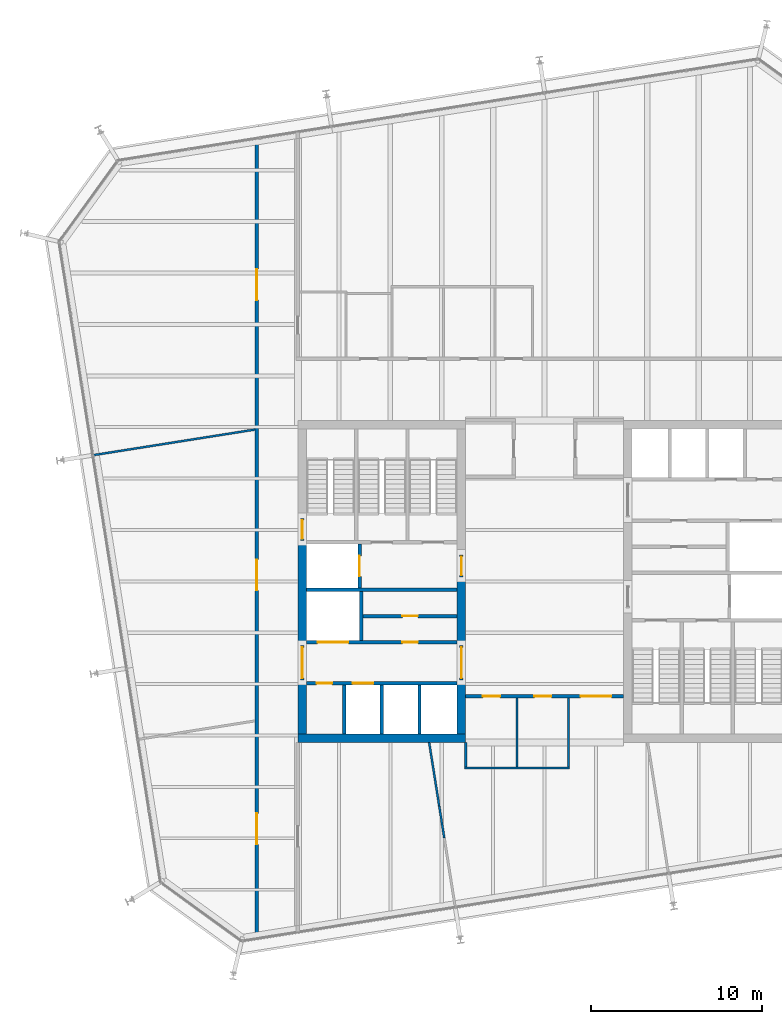
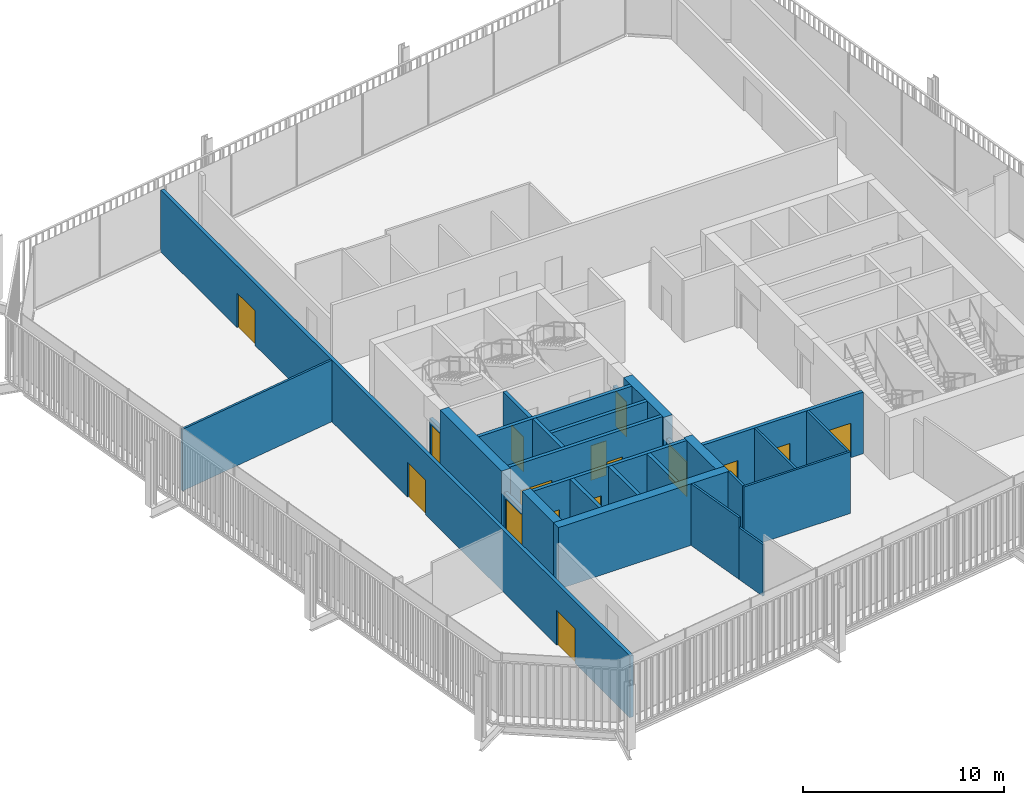
# One storey, part 16 of 20: 27 walls, 16 doors, 16 openings.
"""IFC4 building model written with IfcOpenShell, lengths in metres."""

from ifc_helpers import new_model, si_unit, direction, frame, frame_2d, origin, place, context, subcontext, project, spatial, rectangle, extrude, material, layer, layer_set, type_object, element, fill, save


model = new_model("IFC4")

# Units and contexts
model_context = context("Model", 3, precision=1e-05, world=origin(), true_north=direction((0.0, 1.0)))
body_context = subcontext(model_context, "Body", "Model", "MODEL_VIEW")
ifc_project = project(units=[si_unit("LENGTHUNIT", "METRE"), si_unit("AREAUNIT", "SQUARE_METRE"), si_unit("VOLUMEUNIT", "CUBIC_METRE"), si_unit("PLANEANGLEUNIT", "RADIAN"), si_unit("MASSUNIT", "GRAM", prefix="KILO")], contexts=[model_context])

# Site, building, storey
site_placement = place(None, origin())
site = spatial("IfcSite", under=ifc_project, at=site_placement, CompositionType="ELEMENT")
building_placement = place(site_placement, origin())
building = spatial("IfcBuilding", under=site, at=building_placement, Name="Millrace Tower", CompositionType="ELEMENT")
storey_placement = place(building_placement, frame((0.0, 0.0, 259.10009765625)))
storey = spatial("IfcBuildingStorey", under=building, at=storey_placement, Name="L59", CompositionType="ELEMENT", Elevation=259.10009765625)

# Walls
ifc_material_1 = material(Name="Concrete C60", Category="concrete")
ifc_layer_1 = layer(ifc_material_1, 0.5)
ifc_layer_set_1 = layer_set([ifc_layer_1], Name="Concrete C60")
wall_type_1 = type_object("IfcWallType", Name="Core wall 500 Concrete C60", PredefinedType="SHEAR", material=ifc_layer_set_1)
wall_1_placement = place(storey_placement, frame((-14.39990234375, -9.14990234375, 0.0), z_axis=(0.0, 0.0, 1.0), x_axis=(1.0, 0.0, 0.0)))
element("IfcWall", 1, at=wall_1_placement, inside=storey, type_object=wall_type_1, Name="Core wall W L59", PredefinedType="SHEAR", context=body_context, shape_type="SweptSolid", body=[
    extrude(rectangle(XDim=9.7998046875, YDim=0.5, at=frame_2d((4.89990234375, 0.0))), origin(), (0.0, 0.0, 1.0), 3.739990234375),
])
wall_2_placement = place(storey_placement, frame((-14.14990234375, -8.89990234375, 0.0), z_axis=(0.0, 0.0, 1.0), x_axis=(0.0, 1.0, 0.0)))
element("IfcWall", 2, at=wall_2_placement, inside=storey, type_object=wall_type_1, Name="Core wall W L59", PredefinedType="SHEAR", context=body_context, shape_type="SweptSolid", body=[
    extrude(rectangle(XDim=3.14990234375, YDim=0.5, at=frame_2d((1.574951171875, 0.0))), origin(), (0.0, 0.0, 1.0), 3.739990234375),
])
wall_3_placement = place(storey_placement, frame((-14.14990234375, -3.75, 0.0), z_axis=(0.0, 0.0, 1.0), x_axis=(0.0, 1.0, 0.0)))
element("IfcWall", 3, at=wall_3_placement, inside=storey, type_object=wall_type_1, Name="Core wall W L59", PredefinedType="SHEAR", context=body_context, shape_type="SweptSolid", body=[
    extrude(rectangle(XDim=6.1298828125, YDim=0.5, at=frame_2d((3.06494140625, 0.0))), origin(), (0.0, 0.0, 1.0), 3.739990234375),
])
wall_4_placement = place(storey_placement, frame((-4.85009765625, -8.89990234375, 0.0), z_axis=(0.0, 0.0, 1.0), x_axis=(0.0, 1.0, 0.0)))
element("IfcWall", 4, at=wall_4_placement, inside=storey, type_object=wall_type_1, Name="Core wall W L59", PredefinedType="SHEAR", context=body_context, shape_type="SweptSolid", body=[
    extrude(rectangle(XDim=3.14990234375, YDim=0.5, at=frame_2d((1.574951171875, 0.0))), origin(), (0.0, 0.0, 1.0), 3.739990234375),
])
wall_5_placement = place(storey_placement, frame((-4.85009765625, -3.75, 0.0), z_axis=(0.0, 0.0, 1.0), x_axis=(0.0, 1.0, 0.0)))
element("IfcWall", 5, at=wall_5_placement, inside=storey, type_object=wall_type_1, Name="Core wall W L59", PredefinedType="SHEAR", context=body_context, shape_type="SweptSolid", body=[
    extrude(rectangle(XDim=4.0, YDim=0.5, at=frame_2d((2.0, 0.0))), origin(), (0.0, 0.0, 1.0), 3.739990234375),
])

# Wall, openings, doors
ifc_material_2 = material(Name="Masonry partition, fire-rated", Category="masonry")
ifc_layer_2 = layer(ifc_material_2, 0.199951171875)
ifc_layer_set_2 = layer_set([ifc_layer_2], Name="Masonry partition, fire-rated")
wall_type_2 = type_object("IfcWallType", Name="Corridor wall 200", PredefinedType="PARTITIONING", material=ifc_layer_set_2)
wall_6_placement = place(storey_placement, frame((-4.60009765625, -6.699951171875, 0.0), z_axis=(0.0, 0.0, 1.0), x_axis=(1.0, 0.0, 0.0)))
wall_6 = element("IfcWall", 6, at=wall_6_placement, inside=storey, type_object=wall_type_2, Name="Corridor wall L59", PredefinedType="PARTITIONING", context=body_context, shape_type="SweptSolid", body=[
    extrude(rectangle(XDim=9.2001953125, YDim=0.199951171875, at=frame_2d((4.60009765625, 0.0))), origin(), (0.0, 0.0, 1.0), 3.739990234375),
])
opening_1_placement = place(wall_6_placement, frame((6.699951171875, 0.0, 0.0)))
opening_1 = element("IfcOpeningElement", 7, at=opening_1_placement, cuts=wall_6, Name="Opening 59-P012", PredefinedType="OPENING", context=body_context, shape_type="SweptSolid", body=[
    extrude(rectangle(XDim=1.800048828125, YDim=2.10009765625, at=frame_2d((0.89990234375, 1.050048828125))), frame((0.0, 0.10986328125, 0.0), z_axis=(0.0, -1.0, 0.0), x_axis=(1.0, 0.0, 0.0)), (0.0, 0.0, 1.0), 0.219970703125),
])
opening_2_placement = place(wall_6_placement, frame((1.0, 0.0, 0.0)))
opening_2 = element("IfcOpeningElement", 8, at=opening_2_placement, cuts=wall_6, Name="Opening 59-P013", PredefinedType="OPENING", context=body_context, shape_type="SweptSolid", body=[
    extrude(rectangle(XDim=1.0, YDim=2.10009765625, at=frame_2d((0.5, 1.050048828125))), frame((0.0, 0.10986328125, 0.0), z_axis=(0.0, -1.0, 0.0), x_axis=(1.0, 0.0, 0.0)), (0.0, 0.0, 1.0), 0.219970703125),
])
opening_3_placement = place(wall_6_placement, frame((4.0, 0.0, 0.0)))
opening_3 = element("IfcOpeningElement", 9, at=opening_3_placement, cuts=wall_6, Name="Opening 59-P014", PredefinedType="OPENING", context=body_context, shape_type="SweptSolid", body=[
    extrude(rectangle(XDim=1.0, YDim=2.10009765625, at=frame_2d((0.5, 1.050048828125))), frame((0.0, 0.10986328125, 0.0), z_axis=(0.0, -1.0, 0.0), x_axis=(1.0, 0.0, 0.0)), (0.0, 0.0, 1.0), 0.219970703125),
])
ifc_material_3 = material(Name="Steel door set, fire-rated", Category="steel")
door_type_1 = type_object("IfcDoorType", Name="Corridor door 1000 x 2100", OperationType="SINGLE_SWING_LEFT", PredefinedType="DOOR", material=ifc_material_3)
door_1_placement = place(opening_2_placement, frame((1.0, 0.0, 0.0), z_axis=(0.0, 0.0, 1.0), x_axis=(-1.0, 0.0, 0.0)))
door_1 = element("IfcDoor", 10, at=door_1_placement, inside=storey, type_object=door_type_1, Name="Door 59-P013", OperationType="SINGLE_SWING_RIGHT", OverallHeight=2.10009765625, OverallWidth=1.0, PredefinedType="DOOR", context=body_context, shape_type="SweptSolid", body=[
    extrude(rectangle(XDim=1.0, YDim=2.10009765625, at=frame_2d((0.5, 1.050048828125))), frame((0.0, 0.02490234375, 0.0), z_axis=(0.0, -1.0, 0.0), x_axis=(1.0, 0.0, 0.0)), (0.0, 0.0, 1.0), 0.050048828125),
])
fill(opening_2, door_1)
door_2_placement = place(opening_3_placement, frame((1.0, 0.0, 0.0), z_axis=(0.0, 0.0, 1.0), x_axis=(-1.0, 0.0, 0.0)))
door_2 = element("IfcDoor", 11, at=door_2_placement, inside=storey, type_object=door_type_1, Name="Door 59-P014", OperationType="SINGLE_SWING_RIGHT", OverallHeight=2.10009765625, OverallWidth=1.0, PredefinedType="DOOR", context=body_context, shape_type="SweptSolid", body=[
    extrude(rectangle(XDim=1.0, YDim=2.10009765625, at=frame_2d((0.5, 1.050048828125))), frame((0.0, 0.02490234375, 0.0), z_axis=(0.0, -1.0, 0.0), x_axis=(1.0, 0.0, 0.0)), (0.0, 0.0, 1.0), 0.050048828125),
])
fill(opening_3, door_2)
ifc_material_4 = material(Name="Steel door set, fire-rated", Category="steel")
door_type_2 = type_object("IfcDoorType", Name="Corridor door 1800 x 2100", OperationType="DOUBLE_DOOR_SINGLE_SWING", PredefinedType="DOOR", material=ifc_material_4)
door_3_placement = place(opening_1_placement, frame((1.800048828125, 0.0, 0.0), z_axis=(0.0, 0.0, 1.0), x_axis=(-1.0, 0.0, 0.0)))
door_3 = element("IfcDoor", 12, at=door_3_placement, inside=storey, type_object=door_type_2, Name="Door 59-P012", OperationType="DOUBLE_DOOR_SINGLE_SWING", OverallHeight=2.10009765625, OverallWidth=1.800048828125, PredefinedType="DOOR", context=body_context, shape_type="SweptSolid", body=[
    extrude(rectangle(XDim=1.800048828125, YDim=2.10009765625, at=frame_2d((0.89990234375, 1.050048828125))), frame((0.0, 0.02490234375, 0.0), z_axis=(0.0, -1.0, 0.0), x_axis=(1.0, 0.0, 0.0)), (0.0, 0.0, 1.0), 0.050048828125),
])
fill(opening_1, door_3)

wall_7_placement = place(storey_placement, frame((-16.800048828125, -20.816162109375, 0.0), z_axis=(0.0, 0.0, 1.0), x_axis=(0.0, 1.0, 0.0)))
wall_7 = element("IfcWall", 13, at=wall_7_placement, inside=storey, type_object=wall_type_2, Name="Corridor wall L59", PredefinedType="PARTITIONING", context=body_context, shape_type="SweptSolid", body=[
    extrude(rectangle(XDim=46.63427734375, YDim=0.199951171875, at=frame_2d((23.317138671875, 0.0))), origin(), (0.0, 0.0, 1.0), 3.739990234375),
])
opening_4_placement = place(wall_7_placement, frame((5.468017578125, 0.0, 0.0)))
opening_4 = element("IfcOpeningElement", 14, at=opening_4_placement, cuts=wall_7, Name="Opening 59-P003", PredefinedType="OPENING", context=body_context, shape_type="SweptSolid", body=[
    extrude(rectangle(XDim=1.800048828125, YDim=2.10009765625, at=frame_2d((0.89990234375, 1.050048828125))), frame((0.0, 0.10986328125, 0.0), z_axis=(0.0, -1.0, 0.0), x_axis=(1.0, 0.0, 0.0)), (0.0, 0.0, 1.0), 0.219970703125),
])
opening_5_placement = place(wall_7_placement, frame((20.29052734375, 0.0, 0.0)))
opening_5 = element("IfcOpeningElement", 15, at=opening_5_placement, cuts=wall_7, Name="Opening 59-P004", PredefinedType="OPENING", context=body_context, shape_type="SweptSolid", body=[
    extrude(rectangle(XDim=1.800048828125, YDim=2.10009765625, at=frame_2d((0.89990234375, 1.050048828125))), frame((0.0, 0.10986328125, 0.0), z_axis=(0.0, -1.0, 0.0), x_axis=(1.0, 0.0, 0.0)), (0.0, 0.0, 1.0), 0.219970703125),
])
opening_6_placement = place(wall_7_placement, frame((37.239013671875, 0.0, 0.0)))
opening_6 = element("IfcOpeningElement", 16, at=opening_6_placement, cuts=wall_7, Name="Opening 59-P005", PredefinedType="OPENING", context=body_context, shape_type="SweptSolid", body=[
    extrude(rectangle(XDim=1.800048828125, YDim=2.10009765625, at=frame_2d((0.89990234375, 1.050048828125))), frame((0.0, 0.10986328125, 0.0), z_axis=(0.0, -1.0, 0.0), x_axis=(1.0, 0.0, 0.0)), (0.0, 0.0, 1.0), 0.219970703125),
])
door_4_placement = place(opening_4_placement, origin())
door_4 = element("IfcDoor", 17, at=door_4_placement, inside=storey, type_object=door_type_2, Name="Door 59-P003", OperationType="DOUBLE_DOOR_SINGLE_SWING", OverallHeight=2.10009765625, OverallWidth=1.800048828125, PredefinedType="DOOR", context=body_context, shape_type="SweptSolid", body=[
    extrude(rectangle(XDim=1.800048828125, YDim=2.10009765625, at=frame_2d((0.89990234375, 1.050048828125))), frame((0.0, 0.02490234375, 0.0), z_axis=(0.0, -1.0, 0.0), x_axis=(1.0, 0.0, 0.0)), (0.0, 0.0, 1.0), 0.050048828125),
])
fill(opening_4, door_4)
door_5_placement = place(opening_5_placement, origin())
door_5 = element("IfcDoor", 18, at=door_5_placement, inside=storey, type_object=door_type_2, Name="Door 59-P004", OperationType="DOUBLE_DOOR_SINGLE_SWING", OverallHeight=2.10009765625, OverallWidth=1.800048828125, PredefinedType="DOOR", context=body_context, shape_type="SweptSolid", body=[
    extrude(rectangle(XDim=1.800048828125, YDim=2.10009765625, at=frame_2d((0.89990234375, 1.050048828125))), frame((0.0, 0.02490234375, 0.0), z_axis=(0.0, -1.0, 0.0), x_axis=(1.0, 0.0, 0.0)), (0.0, 0.0, 1.0), 0.050048828125),
])
fill(opening_5, door_5)
door_6_placement = place(opening_6_placement, frame((1.800048828125, 0.0, 0.0), z_axis=(0.0, 0.0, 1.0), x_axis=(-1.0, 0.0, 0.0)))
door_6 = element("IfcDoor", 19, at=door_6_placement, inside=storey, type_object=door_type_2, Name="Door 59-P005", OperationType="DOUBLE_DOOR_SINGLE_SWING", OverallHeight=2.10009765625, OverallWidth=1.800048828125, PredefinedType="DOOR", context=body_context, shape_type="SweptSolid", body=[
    extrude(rectangle(XDim=1.800048828125, YDim=2.10009765625, at=frame_2d((0.89990234375, 1.050048828125))), frame((0.0, 0.02490234375, 0.0), z_axis=(0.0, -1.0, 0.0), x_axis=(1.0, 0.0, 0.0)), (0.0, 0.0, 1.0), 0.050048828125),
])
fill(opening_6, door_6)

ifc_material_5 = material(Name="Masonry partition, fire-rated", Category="masonry")
ifc_layer_3 = layer(ifc_material_5, 0.199951171875)
ifc_layer_set_3 = layer_set([ifc_layer_3], Name="Masonry partition, fire-rated")
wall_type_3 = type_object("IfcWallType", Name="Lift shaft wall 200", PredefinedType="PARTITIONING", material=ifc_layer_set_3)
wall_8_placement = place(storey_placement, frame((-13.89990234375, -5.949951171875, 0.0), z_axis=(0.0, 0.0, 1.0), x_axis=(1.0, 0.0, 0.0)))
wall_8 = element("IfcWall", 20, at=wall_8_placement, inside=storey, type_object=wall_type_3, Name="Lift shaft wall W L59", PredefinedType="PARTITIONING", context=body_context, shape_type="SweptSolid", body=[
    extrude(rectangle(XDim=8.7998046875, YDim=0.199951171875, at=frame_2d((4.39990234375, 0.0))), origin(), (0.0, 0.0, 1.0), 3.739990234375),
])
opening_7_placement = place(wall_8_placement, frame((2.699951171875, 0.0, 0.0)))
opening_7 = element("IfcOpeningElement", 21, at=opening_7_placement, cuts=wall_8, Name="Opening 59-LD02", PredefinedType="OPENING", context=body_context, shape_type="SweptSolid", body=[
    extrude(rectangle(XDim=1.199951171875, YDim=2.10009765625, at=frame_2d((0.60009765625, 1.050048828125))), frame((0.0, 0.10986328125, 0.0), z_axis=(0.0, -1.0, 0.0), x_axis=(1.0, 0.0, 0.0)), (0.0, 0.0, 1.0), 0.219970703125),
])
opening_8_placement = place(wall_8_placement, frame((0.60009765625, 0.0, 0.0)))
opening_8 = element("IfcOpeningElement", 22, at=opening_8_placement, cuts=wall_8, Name="Opening 59-C005", PredefinedType="OPENING", context=body_context, shape_type="SweptSolid", body=[
    extrude(rectangle(XDim=0.89990234375, YDim=2.10009765625, at=frame_2d((0.449951171875, 1.050048828125))), frame((0.0, 0.10986328125, 0.0), z_axis=(0.0, -1.0, 0.0), x_axis=(1.0, 0.0, 0.0)), (0.0, 0.0, 1.0), 0.219970703125),
])
ifc_material_6 = material(Name="Stainless steel, fire-rated", Category="steel")
door_type_3 = type_object("IfcDoorType", Name="Lift landing door 1200 x 2100", OperationType="DOUBLE_DOOR_SLIDING", PredefinedType="DOOR", material=ifc_material_6)
door_7_placement = place(opening_7_placement, origin())
door_7 = element("IfcDoor", 23, at=door_7_placement, inside=storey, type_object=door_type_3, Name="Lift landing door LF2 L59", OperationType="DOUBLE_DOOR_SLIDING", OverallHeight=2.10009765625, OverallWidth=1.199951171875, PredefinedType="DOOR", context=body_context, shape_type="SweptSolid", body=[
    extrude(rectangle(XDim=1.199951171875, YDim=2.10009765625, at=frame_2d((0.60009765625, 1.050048828125))), frame((0.0, 0.02490234375, 0.0), z_axis=(0.0, -1.0, 0.0), x_axis=(1.0, 0.0, 0.0)), (0.0, 0.0, 1.0), 0.050048828125),
])
fill(opening_7, door_7)
ifc_material_7 = material(Name="Steel door, fire-rated", Category="steel")
door_type_4 = type_object("IfcDoorType", Name="Service room door 900 x 2100", OperationType="SINGLE_SWING_LEFT", PredefinedType="DOOR", material=ifc_material_7)
door_8_placement = place(opening_8_placement, frame((0.89990234375, 0.0, 0.0), z_axis=(0.0, 0.0, 1.0), x_axis=(-1.0, 0.0, 0.0)))
door_8 = element("IfcDoor", 24, at=door_8_placement, inside=storey, type_object=door_type_4, Name="Service room door 59-C005", OperationType="SINGLE_SWING_RIGHT", OverallHeight=2.10009765625, OverallWidth=0.89990234375, PredefinedType="DOOR", context=body_context, shape_type="SweptSolid", body=[
    extrude(rectangle(XDim=0.89990234375, YDim=2.10009765625, at=frame_2d((0.449951171875, 1.050048828125))), frame((0.0, 0.02490234375, 0.0), z_axis=(0.0, -1.0, 0.0), x_axis=(1.0, 0.0, 0.0)), (0.0, 0.0, 1.0), 0.050048828125),
])
fill(opening_8, door_8)

wall_9_placement = place(storey_placement, frame((-13.89990234375, -3.550048828125, 0.0), z_axis=(0.0, 0.0, 1.0), x_axis=(1.0, 0.0, 0.0)))
wall_9 = element("IfcWall", 25, at=wall_9_placement, inside=storey, type_object=wall_type_3, Name="Lift shaft wall W L59", PredefinedType="PARTITIONING", context=body_context, shape_type="SweptSolid", body=[
    extrude(rectangle(XDim=8.7998046875, YDim=0.199951171875, at=frame_2d((4.39990234375, 0.0))), origin(), (0.0, 0.0, 1.0), 3.739990234375),
])
opening_9_placement = place(wall_9_placement, frame((0.64990234375, 0.0, 0.0)))
opening_9 = element("IfcOpeningElement", 26, at=opening_9_placement, cuts=wall_9, Name="Opening 59-LD05", PredefinedType="OPENING", context=body_context, shape_type="SweptSolid", body=[
    extrude(rectangle(XDim=1.800048828125, YDim=2.10009765625, at=frame_2d((0.89990234375, 1.050048828125))), frame((0.0, 0.10986328125, 0.0), z_axis=(0.0, -1.0, 0.0), x_axis=(1.0, 0.0, 0.0)), (0.0, 0.0, 1.0), 0.219970703125),
])
opening_10_placement = place(wall_9_placement, frame((5.60009765625, 0.0, 0.0)))
opening_10 = element("IfcOpeningElement", 27, at=opening_10_placement, cuts=wall_9, Name="Opening 59-C006", PredefinedType="OPENING", context=body_context, shape_type="SweptSolid", body=[
    extrude(rectangle(XDim=0.89990234375, YDim=2.10009765625, at=frame_2d((0.449951171875, 1.050048828125))), frame((0.0, 0.10986328125, 0.0), z_axis=(0.0, -1.0, 0.0), x_axis=(1.0, 0.0, 0.0)), (0.0, 0.0, 1.0), 0.219970703125),
])
ifc_material_8 = material(Name="Stainless steel, fire-rated", Category="steel")
door_type_5 = type_object("IfcDoorType", Name="Lift landing door 1800 x 2100", OperationType="DOUBLE_DOOR_SLIDING", PredefinedType="DOOR", material=ifc_material_8)
door_9_placement = place(opening_9_placement, origin())
door_9 = element("IfcDoor", 28, at=door_9_placement, inside=storey, type_object=door_type_5, Name="Lift landing door LF5 L59", OperationType="DOUBLE_DOOR_SLIDING", OverallHeight=2.10009765625, OverallWidth=1.800048828125, PredefinedType="DOOR", context=body_context, shape_type="SweptSolid", body=[
    extrude(rectangle(XDim=1.800048828125, YDim=2.10009765625, at=frame_2d((0.89990234375, 1.050048828125))), frame((0.0, 0.02490234375, 0.0), z_axis=(0.0, -1.0, 0.0), x_axis=(1.0, 0.0, 0.0)), (0.0, 0.0, 1.0), 0.050048828125),
])
fill(opening_9, door_9)
door_10_placement = place(opening_10_placement, frame((0.89990234375, 0.0, 0.0), z_axis=(0.0, 0.0, 1.0), x_axis=(-1.0, 0.0, 0.0)))
door_10 = element("IfcDoor", 29, at=door_10_placement, inside=storey, type_object=door_type_4, Name="Service room door 59-C006", OperationType="SINGLE_SWING_LEFT", OverallHeight=2.10009765625, OverallWidth=0.89990234375, PredefinedType="DOOR", context=body_context, shape_type="SweptSolid", body=[
    extrude(rectangle(XDim=0.89990234375, YDim=2.10009765625, at=frame_2d((0.449951171875, 1.050048828125))), frame((0.0, 0.02490234375, 0.0), z_axis=(0.0, -1.0, 0.0), x_axis=(1.0, 0.0, 0.0)), (0.0, 0.0, 1.0), 0.050048828125),
])
fill(opening_10, door_10)

# Wall
wall_10_placement = place(storey_placement, frame((-13.89990234375, -0.5, 0.0), z_axis=(0.0, 0.0, 1.0), x_axis=(1.0, 0.0, 0.0)))
element("IfcWall", 30, at=wall_10_placement, inside=storey, type_object=wall_type_3, Name="Lift shaft wall W L59", PredefinedType="PARTITIONING", context=body_context, shape_type="SweptSolid", body=[
    extrude(rectangle(XDim=8.7998046875, YDim=0.199951171875, at=frame_2d((4.39990234375, 0.0))), origin(), (0.0, 0.0, 1.0), 3.739990234375),
])

# Wall, opening, door
wall_11_placement = place(storey_placement, frame((-10.800048828125, -0.39990234375, 0.0), z_axis=(0.0, 0.0, 1.0), x_axis=(0.0, 1.0, 0.0)))
wall_11 = element("IfcWall", 31, at=wall_11_placement, inside=storey, type_object=wall_type_3, Name="Lift shaft wall W L59", PredefinedType="PARTITIONING", context=body_context, shape_type="SweptSolid", body=[
    extrude(rectangle(XDim=2.579833984375, YDim=0.199951171875, at=frame_2d((1.2900390625, 0.0))), origin(), (0.0, 0.0, 1.0), 3.739990234375),
])
opening_11_placement = place(wall_11_placement, frame((0.68994140625, 0.0, 0.0)))
opening_11 = element("IfcOpeningElement", 32, at=opening_11_placement, cuts=wall_11, Name="Opening 59-LD08", PredefinedType="OPENING", context=body_context, shape_type="SweptSolid", body=[
    extrude(rectangle(XDim=1.199951171875, YDim=2.10009765625, at=frame_2d((0.60009765625, 1.050048828125))), frame((0.0, 0.10986328125, 0.0), z_axis=(0.0, -1.0, 0.0), x_axis=(1.0, 0.0, 0.0)), (0.0, 0.0, 1.0), 0.219970703125),
])
door_11_placement = place(opening_11_placement, origin())
door_11 = element("IfcDoor", 33, at=door_11_placement, inside=storey, type_object=door_type_3, Name="Lift landing door LF8 L59", OperationType="DOUBLE_DOOR_SLIDING", OverallHeight=2.10009765625, OverallWidth=1.199951171875, PredefinedType="DOOR", context=body_context, shape_type="SweptSolid", body=[
    extrude(rectangle(XDim=1.199951171875, YDim=2.10009765625, at=frame_2d((0.60009765625, 1.050048828125))), frame((0.0, 0.02490234375, 0.0), z_axis=(0.0, -1.0, 0.0), x_axis=(1.0, 0.0, 0.0)), (0.0, 0.0, 1.0), 0.050048828125),
])
fill(opening_11, door_11)

# Walls
for number, where, z_axis, x_axis, name in (
    (34, (-11.699951171875, -8.89990234375, 0.0), (0.0, 0.0, 1.0), (0.0, 1.0, 0.0), "Lift shaft wall W L59"),
    (35, (-9.5, -8.89990234375, 0.0), (0.0, 0.0, 1.0), (0.0, 1.0, 0.0), "Lift shaft wall W L59"),
    (36, (-7.300048828125, -8.89990234375, 0.0), (0.0, 0.0, 1.0), (0.0, 1.0, 0.0), "Lift shaft wall W L59"),
    (37, (-10.699951171875, -3.449951171875, 0.0), (0.0, 0.0, 1.0), (0.0, 1.0, 0.0), "Lift shaft wall W L59"),
):
    element("IfcWall", number, at=place(storey_placement, frame(where, z_axis=z_axis, x_axis=x_axis)), inside=storey, type_object=wall_type_3, Name=name, PredefinedType="PARTITIONING", context=body_context, shape_type="SweptSolid", body=[
        extrude(rectangle(XDim=2.849853515625, YDim=0.199951171875, at=frame_2d((1.4248046875, 0.0))), origin(), (0.0, 0.0, 1.0), 3.739990234375),
    ])

# Wall, opening, door
ifc_material_9 = material(Name="Masonry partition, fire-rated", Category="masonry")
ifc_layer_4 = layer(ifc_material_9, 0.199951171875)
ifc_layer_set_4 = layer_set([ifc_layer_4], Name="Masonry partition, fire-rated")
wall_type_4 = type_object("IfcWallType", Name="Lobby wall 200", PredefinedType="PARTITIONING", material=ifc_layer_set_4)
wall_12_placement = place(storey_placement, frame((-14.14990234375, -5.75, 0.0), z_axis=(0.0, 0.0, 1.0), x_axis=(0.0, 1.0, 0.0)))
wall_12 = element("IfcWall", 38, at=wall_12_placement, inside=storey, type_object=wall_type_4, Name="Lobby wall W L59", PredefinedType="PARTITIONING", context=body_context, shape_type="SweptSolid", body=[
    extrude(rectangle(XDim=2.0, YDim=0.199951171875, at=frame_2d((1.0, 0.0))), origin(), (0.0, 0.0, 1.0), 2.39990234375),
])
opening_12_placement = place(wall_12_placement, frame((0.10009765625, 0.0, 0.0)))
opening_12 = element("IfcOpeningElement", 39, at=opening_12_placement, cuts=wall_12, Name="Opening 59-C001", PredefinedType="OPENING", context=body_context, shape_type="SweptSolid", body=[
    extrude(rectangle(XDim=1.800048828125, YDim=2.10009765625, at=frame_2d((0.89990234375, 1.050048828125))), frame((0.0, 0.10986328125, 0.0), z_axis=(0.0, -1.0, 0.0), x_axis=(1.0, 0.0, 0.0)), (0.0, 0.0, 1.0), 0.219970703125),
])
ifc_material_10 = material(Name="Steel door, fire-rated", Category="steel")
door_type_6 = type_object("IfcDoorType", Name="Lobby door 1800 x 2100", OperationType="DOUBLE_DOOR_SINGLE_SWING", PredefinedType="DOOR", material=ifc_material_10)
door_12_placement = place(opening_12_placement, origin())
door_12 = element("IfcDoor", 40, at=door_12_placement, inside=storey, type_object=door_type_6, Name="Lobby door 59-C001", OperationType="DOUBLE_DOOR_SINGLE_SWING", OverallHeight=2.10009765625, OverallWidth=1.800048828125, PredefinedType="DOOR", context=body_context, shape_type="SweptSolid", body=[
    extrude(rectangle(XDim=1.800048828125, YDim=2.10009765625, at=frame_2d((0.89990234375, 1.050048828125))), frame((0.0, 0.02490234375, 0.0), z_axis=(0.0, -1.0, 0.0), x_axis=(1.0, 0.0, 0.0)), (0.0, 0.0, 1.0), 0.050048828125),
])
fill(opening_12, door_12)

wall_13_placement = place(storey_placement, frame((-4.85009765625, -5.75, 0.0), z_axis=(0.0, 0.0, 1.0), x_axis=(0.0, 1.0, 0.0)))
wall_13 = element("IfcWall", 41, at=wall_13_placement, inside=storey, type_object=wall_type_4, Name="Lobby wall W L59", PredefinedType="PARTITIONING", context=body_context, shape_type="SweptSolid", body=[
    extrude(rectangle(XDim=2.0, YDim=0.199951171875, at=frame_2d((1.0, 0.0))), origin(), (0.0, 0.0, 1.0), 2.39990234375),
])
opening_13_placement = place(wall_13_placement, frame((0.10009765625, 0.0, 0.0)))
opening_13 = element("IfcOpeningElement", 42, at=opening_13_placement, cuts=wall_13, Name="Opening 59-C003", PredefinedType="OPENING", context=body_context, shape_type="SweptSolid", body=[
    extrude(rectangle(XDim=1.800048828125, YDim=2.10009765625, at=frame_2d((0.89990234375, 1.050048828125))), frame((0.0, 0.10986328125, 0.0), z_axis=(0.0, -1.0, 0.0), x_axis=(1.0, 0.0, 0.0)), (0.0, 0.0, 1.0), 0.219970703125),
])
door_13_placement = place(opening_13_placement, frame((1.800048828125, 0.0, 0.0), z_axis=(0.0, 0.0, 1.0), x_axis=(-1.0, 0.0, 0.0)))
door_13 = element("IfcDoor", 43, at=door_13_placement, inside=storey, type_object=door_type_6, Name="Lobby door 59-C003", OperationType="DOUBLE_DOOR_SINGLE_SWING", OverallHeight=2.10009765625, OverallWidth=1.800048828125, PredefinedType="DOOR", context=body_context, shape_type="SweptSolid", body=[
    extrude(rectangle(XDim=1.800048828125, YDim=2.10009765625, at=frame_2d((0.89990234375, 1.050048828125))), frame((0.0, 0.02490234375, 0.0), z_axis=(0.0, -1.0, 0.0), x_axis=(1.0, 0.0, 0.0)), (0.0, 0.0, 1.0), 0.050048828125),
])
fill(opening_13, door_13)

wall_14_placement = place(storey_placement, frame((-4.85009765625, 0.25, 0.0), z_axis=(0.0, 0.0, 1.0), x_axis=(0.0, 1.0, 0.0)))
wall_14 = element("IfcWall", 44, at=wall_14_placement, inside=storey, type_object=wall_type_4, Name="Lobby wall W L59", PredefinedType="PARTITIONING", context=body_context, shape_type="SweptSolid", body=[
    extrude(rectangle(XDim=1.300048828125, YDim=0.199951171875, at=frame_2d((0.64990234375, 0.0))), origin(), (0.0, 0.0, 1.0), 2.39990234375),
])
opening_14_placement = place(wall_14_placement, frame((0.10009765625, 0.0, 0.0)))
opening_14 = element("IfcOpeningElement", 45, at=opening_14_placement, cuts=wall_14, Name="Opening 59-C004", PredefinedType="OPENING", context=body_context, shape_type="SweptSolid", body=[
    extrude(rectangle(XDim=1.10009765625, YDim=2.10009765625, at=frame_2d((0.550048828125, 1.050048828125))), frame((0.0, 0.10986328125, 0.0), z_axis=(0.0, -1.0, 0.0), x_axis=(1.0, 0.0, 0.0)), (0.0, 0.0, 1.0), 0.219970703125),
])
ifc_material_11 = material(Name="Steel door, fire-rated", Category="steel")
door_type_7 = type_object("IfcDoorType", Name="Lobby door 1100 x 2100", OperationType="SINGLE_SWING_LEFT", PredefinedType="DOOR", material=ifc_material_11)
door_14_placement = place(opening_14_placement, frame((1.10009765625, 0.0, 0.0), z_axis=(0.0, 0.0, 1.0), x_axis=(-1.0, 0.0, 0.0)))
door_14 = element("IfcDoor", 46, at=door_14_placement, inside=storey, type_object=door_type_7, Name="Lobby door 59-C004", OperationType="SINGLE_SWING_RIGHT", OverallHeight=2.10009765625, OverallWidth=1.10009765625, PredefinedType="DOOR", context=body_context, shape_type="SweptSolid", body=[
    extrude(rectangle(XDim=1.10009765625, YDim=2.10009765625, at=frame_2d((0.550048828125, 1.050048828125))), frame((0.0, 0.02490234375, 0.0), z_axis=(0.0, -1.0, 0.0), x_axis=(1.0, 0.0, 0.0)), (0.0, 0.0, 1.0), 0.050048828125),
])
fill(opening_14, door_14)

# Walls
ifc_material_12 = material(Name="Gypsum board partition")
ifc_layer_5 = layer(ifc_material_12, 0.1201171875)
ifc_layer_set_5 = layer_set([ifc_layer_5], Name="Gypsum board partition")
wall_type_5 = type_object("IfcWallType", Name="Partition wall 120", PredefinedType="PARTITIONING", material=ifc_layer_set_5)
wall_15_placement = place(storey_placement, frame((-6.737060546875, -9.39990234375, 0.0), z_axis=(0.0, 0.0, 1.0), x_axis=(0.156382059487, -0.987696639394, 0.0)))
element("IfcWall", 47, at=wall_15_placement, inside=storey, type_object=wall_type_5, Name="Partition wall L59", PredefinedType="PARTITIONING", context=body_context, shape_type="SweptSolid", body=[
    extrude(rectangle(XDim=3.765625, YDim=0.1201171875, at=frame_2d((1.8828125, 0.0))), origin(), (0.0, 0.0, 1.0), 3.739990234375),
])
wall_16_placement = place(storey_placement, frame((-6.148193359375, -13.119140625, 0.0), z_axis=(0.0, 0.0, 1.0), x_axis=(0.1562533807, -0.987717004521, 0.0)))
element("IfcWall", 48, at=wall_16_placement, inside=storey, type_object=wall_type_5, Name="Partition wall L59", PredefinedType="PARTITIONING", context=body_context, shape_type="SweptSolid", body=[
    extrude(rectangle(XDim=1.896728515625, YDim=0.1201171875, at=frame_2d((0.9482421875, 0.0))), origin(), (0.0, 0.0, 1.0), 3.140380859375),
])
wall_17_placement = place(storey_placement, frame((-4.659912109375, -10.89990234375, 0.0), z_axis=(0.0, 0.0, 1.0), x_axis=(1.0, 0.0, 0.0)))
element("IfcWall", 49, at=wall_17_placement, inside=storey, type_object=wall_type_5, Name="Partition wall L59", PredefinedType="PARTITIONING", context=body_context, shape_type="SweptSolid", body=[
    extrude(rectangle(XDim=6.119873046875, YDim=0.1201171875, at=frame_2d((3.06005859375, 0.0))), origin(), (0.0, 0.0, 1.0), 3.739990234375),
])
wall_18_placement = place(storey_placement, frame((-26.33203125, 7.3701171875, 0.0), z_axis=(0.0, 0.0, 1.0), x_axis=(0.98770340922, 0.15633929581, 0.0)))
element("IfcWall", 50, at=wall_18_placement, inside=storey, type_object=wall_type_5, Name="Partition wall L59", PredefinedType="PARTITIONING", context=body_context, shape_type="SweptSolid", body=[
    extrude(rectangle(XDim=9.55078125, YDim=0.1201171875, at=frame_2d((4.775390625, 0.0))), origin(), (0.0, 0.0, 1.0), 3.739990234375),
])
for number, where, z_axis, x_axis, name in (
    (51, (1.39990234375, -10.840087890625, 0.0), (0.0, 0.0, 1.0), (0.0, 1.0, 0.0), "Partition wall L59"),
    (52, (-1.60009765625, -10.840087890625, 0.0), (0.0, 0.0, 1.0), (0.0, 1.0, 0.0), "Partition wall L59"),
):
    element("IfcWall", number, at=place(storey_placement, frame(where, z_axis=z_axis, x_axis=x_axis)), inside=storey, type_object=wall_type_5, Name=name, PredefinedType="PARTITIONING", context=body_context, shape_type="SweptSolid", body=[
        extrude(rectangle(XDim=4.0400390625, YDim=0.1201171875, at=frame_2d((2.02001953125, 0.0))), origin(), (0.0, 0.0, 1.0), 3.739990234375),
    ])
wall_19_placement = place(storey_placement, frame((-4.60009765625, -10.840087890625, 0.0), z_axis=(0.0, 0.0, 1.0), x_axis=(0.0, 1.0, 0.0)))
element("IfcWall", 53, at=wall_19_placement, inside=storey, type_object=wall_type_5, Name="Partition wall L59", PredefinedType="PARTITIONING", context=body_context, shape_type="SweptSolid", body=[
    extrude(rectangle(XDim=1.440185546875, YDim=0.1201171875, at=frame_2d((0.72021484375, 0.0))), origin(), (0.0, 0.0, 1.0), 3.739990234375),
])

# Wall, opening, door
ifc_material_13 = material(Name="Masonry partition, fire-rated", Category="masonry")
ifc_layer_6 = layer(ifc_material_13, 0.199951171875)
ifc_layer_set_6 = layer_set([ifc_layer_6], Name="Masonry partition, fire-rated")
wall_type_6 = type_object("IfcWallType", Name="Room partition 200", PredefinedType="PARTITIONING", material=ifc_layer_set_6)
wall_20_placement = place(storey_placement, frame((-10.60009765625, -2.02490234375, 0.0), z_axis=(0.0, 0.0, 1.0), x_axis=(1.0, 0.0, 0.0)))
wall_20 = element("IfcWall", 54, at=wall_20_placement, inside=storey, type_object=wall_type_6, Name="Room partition W L59", PredefinedType="PARTITIONING", context=body_context, shape_type="SweptSolid", body=[
    extrude(rectangle(XDim=5.5, YDim=0.199951171875, at=frame_2d((2.75, 0.0))), origin(), (0.0, 0.0, 1.0), 3.739990234375),
])
opening_15_placement = place(wall_20_placement, frame((2.300048828125, 0.0, 0.0)))
opening_15 = element("IfcOpeningElement", 55, at=opening_15_placement, cuts=wall_20, Name="Opening 59-C007", PredefinedType="OPENING", context=body_context, shape_type="SweptSolid", body=[
    extrude(rectangle(XDim=0.89990234375, YDim=2.10009765625, at=frame_2d((0.449951171875, 1.050048828125))), frame((0.0, 0.10986328125, 0.0), z_axis=(0.0, -1.0, 0.0), x_axis=(1.0, 0.0, 0.0)), (0.0, 0.0, 1.0), 0.219970703125),
])
door_15_placement = place(opening_15_placement, origin())
door_15 = element("IfcDoor", 56, at=door_15_placement, inside=storey, type_object=door_type_4, Name="Service room door 59-C007", OperationType="SINGLE_SWING_LEFT", OverallHeight=2.10009765625, OverallWidth=0.89990234375, PredefinedType="DOOR", context=body_context, shape_type="SweptSolid", body=[
    extrude(rectangle(XDim=0.89990234375, YDim=2.10009765625, at=frame_2d((0.449951171875, 1.050048828125))), frame((0.0, 0.02490234375, 0.0), z_axis=(0.0, -1.0, 0.0), x_axis=(1.0, 0.0, 0.0)), (0.0, 0.0, 1.0), 0.050048828125),
])
fill(opening_15, door_15)

ifc_material_14 = material(Name="Concrete C40", Category="concrete")
ifc_layer_7 = layer(ifc_material_14, 0.199951171875)
ifc_layer_set_7 = layer_set([ifc_layer_7], Name="Concrete C40")
wall_type_7 = type_object("IfcWallType", Name="Stair enclosure wall 200 Concrete C40", PredefinedType="SHEAR", material=ifc_layer_set_7)
wall_21_placement = place(storey_placement, frame((-14.14990234375, 2.3798828125, 0.0), z_axis=(0.0, 0.0, 1.0), x_axis=(0.0, 1.0, 0.0)))
wall_21 = element("IfcWall", 57, at=wall_21_placement, inside=storey, type_object=wall_type_7, Name="Stair enclosure wall W L59", PredefinedType="SHEAR", context=body_context, shape_type="SweptSolid", body=[
    extrude(rectangle(XDim=1.300048828125, YDim=0.199951171875, at=frame_2d((0.64990234375, 0.0))), origin(), (0.0, 0.0, 1.0), 2.39990234375),
])
opening_16_placement = place(wall_21_placement, frame((0.10009765625, 0.0, 0.0)))
opening_16 = element("IfcOpeningElement", 58, at=opening_16_placement, cuts=wall_21, Name="Opening 59-C002", PredefinedType="OPENING", context=body_context, shape_type="SweptSolid", body=[
    extrude(rectangle(XDim=1.10009765625, YDim=2.10009765625, at=frame_2d((0.550048828125, 1.050048828125))), frame((0.0, 0.10986328125, 0.0), z_axis=(0.0, -1.0, 0.0), x_axis=(1.0, 0.0, 0.0)), (0.0, 0.0, 1.0), 0.219970703125),
])
ifc_material_15 = material(Name="Steel door, fire-rated", Category="steel")
door_type_8 = type_object("IfcDoorType", Name="Stair door 1100 x 2100", OperationType="SINGLE_SWING_LEFT", PredefinedType="DOOR", material=ifc_material_15)
door_16_placement = place(opening_16_placement, origin())
door_16 = element("IfcDoor", 59, at=door_16_placement, inside=storey, type_object=door_type_8, Name="Stair door 59-C002", OperationType="SINGLE_SWING_RIGHT", OverallHeight=2.10009765625, OverallWidth=1.10009765625, PredefinedType="DOOR", context=body_context, shape_type="SweptSolid", body=[
    extrude(rectangle(XDim=1.10009765625, YDim=2.10009765625, at=frame_2d((0.550048828125, 1.050048828125))), frame((0.0, 0.02490234375, 0.0), z_axis=(0.0, -1.0, 0.0), x_axis=(1.0, 0.0, 0.0)), (0.0, 0.0, 1.0), 0.050048828125),
])
fill(opening_16, door_16)

save(model, "model.ifc")
